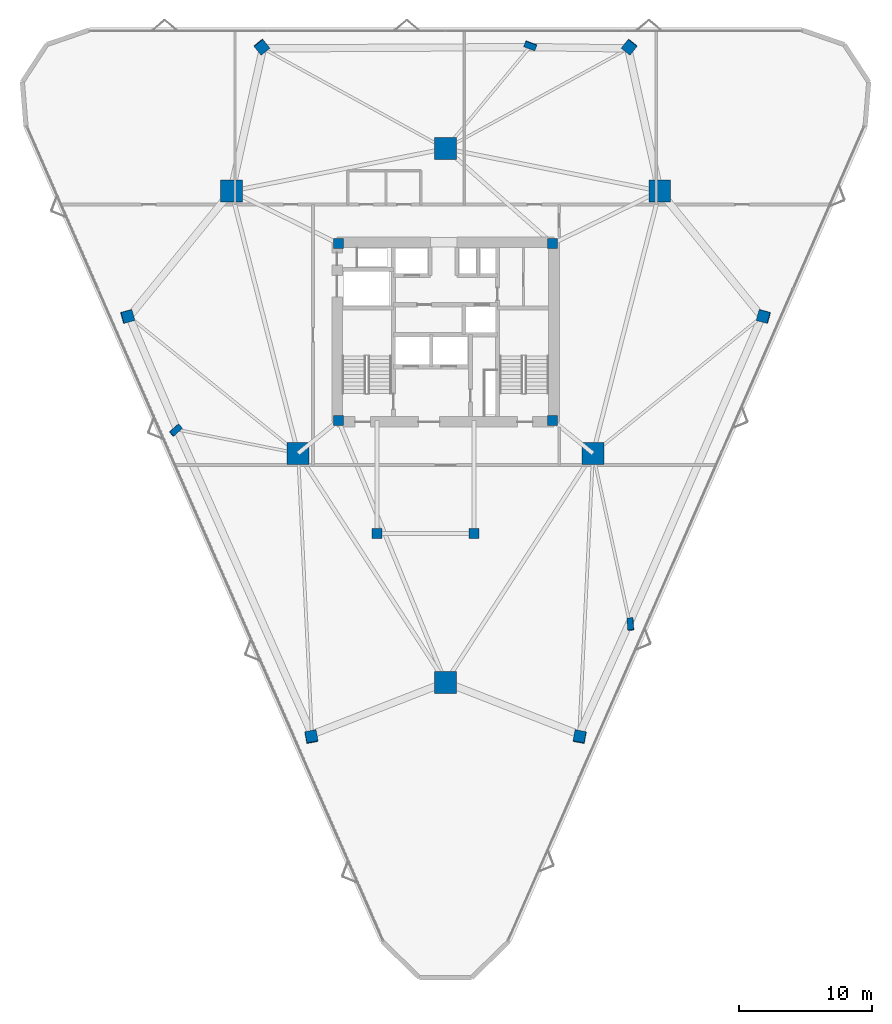
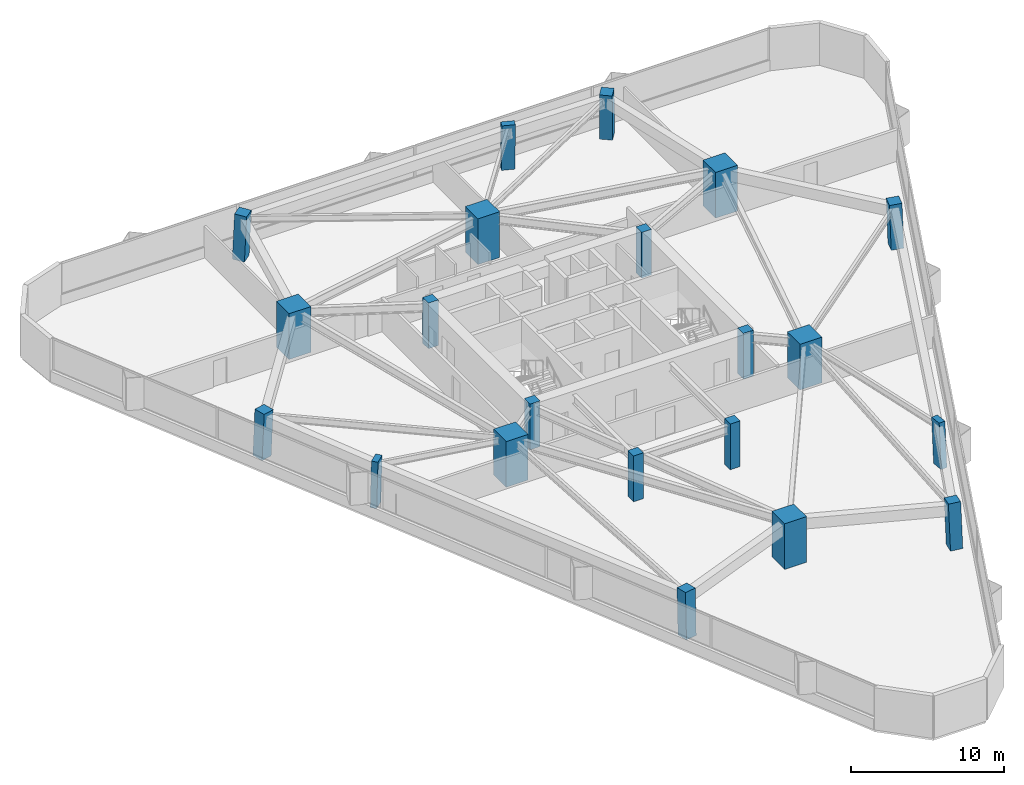
# One storey, part 1 of 19: 21 columns.
"""IFC4 building model written with IfcOpenShell, lengths in metres."""

from ifc_helpers import new_model, si_unit, direction, frame, origin, origin_2d, place, context, subcontext, project, spatial, rectangle, extrude, material, material_profile, profile_set, type_object, element, save


model = new_model("IFC4")

# Units and contexts
model_context = context("Model", 3, precision=1e-05, world=origin(), true_north=direction((0.0, 1.0)))
body_context = subcontext(model_context, "Body", "Model", "MODEL_VIEW")
ifc_project = project(units=[si_unit("LENGTHUNIT", "METRE"), si_unit("AREAUNIT", "SQUARE_METRE"), si_unit("VOLUMEUNIT", "CUBIC_METRE"), si_unit("PLANEANGLEUNIT", "RADIAN"), si_unit("MASSUNIT", "GRAM", prefix="KILO")], contexts=[model_context])

# Site, building, storey
site_placement = place(None, origin())
site = spatial("IfcSite", under=ifc_project, at=site_placement, CompositionType="ELEMENT")
building_placement = place(site_placement, origin())
building = spatial("IfcBuilding", under=site, at=building_placement, Name="Talyreon Biosciences Tower", CompositionType="ELEMENT")
storey_placement = place(building_placement, frame((0.0, 0.0, 85.949951171875)))
storey = spatial("IfcBuildingStorey", under=building, at=storey_placement, Name="L22", CompositionType="ELEMENT", Elevation=85.949951171875)

# Columns
ifc_material_1 = material(Name="Precast concrete C45/55", Category="concrete")
ifc_material_profile_1 = material_profile(ifc_material_1, rectangle(XDim=0.89990234375, YDim=0.449951171875, at=origin_2d()), Name="RC 900x450")
ifc_profile_set_1 = profile_set([ifc_material_profile_1], Name="Precast concrete C45/55")
column_type_1 = type_object("IfcColumnType", Name="FacadePilaster_900x450", PredefinedType="PILASTER", material=ifc_profile_set_1)
column_1_placement = place(storey_placement, frame((79.908935546875, 46.02490234375, 0.0029296875), z_axis=(-0.019612004119, 0.038286915892, 0.999074312234), x_axis=(0.060753125797, -0.997374335781, 0.039414363254)))
element("IfcColumn", 1, at=column_1_placement, inside=storey, type_object=column_type_1, Name="L22 Facade Pilaster PL-SE", PredefinedType="PILASTER", context=body_context, shape_type="SweptSolid", body=[
    extrude(rectangle(XDim=0.89990234375, YDim=0.449951171875, at=origin_2d()), origin(), (0.0, 0.0, 1.0), 3.6474609375),
])
column_2_placement = place(storey_placement, frame((72.383056640625, 89.548095703125, 0.0029296875), z_axis=(-0.01238655289, -0.033544124313, 0.999360478022), x_axis=(-0.9380871136, 0.346399433166, 0.0)))
element("IfcColumn", 2, at=column_2_placement, inside=storey, type_object=column_type_1, Name="L22 Facade Pilaster PL-N", PredefinedType="PILASTER", context=body_context, shape_type="SweptSolid", body=[
    extrude(rectangle(XDim=0.89990234375, YDim=0.449951171875, at=origin_2d()), origin(), (0.0, 0.0, 1.0), 3.646484375),
])
column_3_placement = place(storey_placement, frame((45.7080078125, 60.62255859375, 0.0029296875), z_axis=(0.032006476949, 0.010512587617, 0.999432374368), x_axis=(0.744971845615, 0.666381412971, -0.030866838003)))
element("IfcColumn", 3, at=column_3_placement, inside=storey, type_object=column_type_1, Name="L22 Facade Pilaster PL-SW", PredefinedType="PILASTER", context=body_context, shape_type="SweptSolid", body=[
    extrude(rectangle(XDim=0.89990234375, YDim=0.449951171875, at=origin_2d()), origin(), (0.0, 0.0, 1.0), 3.64599609375),
])
ifc_material_2 = material(Name="Concrete C60/75", Category="concrete")
ifc_material_profile_2 = material_profile(ifc_material_2, rectangle(XDim=1.64990234375, YDim=1.64990234375, at=origin_2d()), Name="RC 1650x1650")
ifc_profile_set_2 = profile_set([ifc_material_profile_2], Name="Concrete C60/75")
column_type_2 = type_object("IfcColumnType", Name="MegaColumn_1650", PredefinedType="COLUMN", material=ifc_profile_set_2)
for number, where, z_axis, x_axis, name in (
    (4, (66.0, 41.6669921875, 0.0), (0.0, 0.0, 1.0), (1.0, 0.0, 0.0), "L22 Composite Mega-Column MC1"),
    (5, (82.102294921875, 78.5986328125, 0.0), (0.0, 0.0, 1.0), (1.0, 0.0, 0.0), "L22 Composite Mega-Column MC2"),
    (6, (49.897705078125, 78.5986328125, 0.0), (0.0, 0.0, 1.0), (1.0, 0.0, 0.0), "L22 Composite Mega-Column MC3"),
    (7, (77.086181640625, 58.88037109375, 0.0), (0.0, 0.0, 1.0), (1.0, 0.0, 0.0), "L22 Composite Mega-Column MC4"),
    (8, (66.0, 81.788818359375, 0.0), (0.0, 0.0, 1.0), (1.0, 0.0, 0.0), "L22 Composite Mega-Column MC5"),
    (9, (54.913818359375, 58.88037109375, 0.0), (0.0, 0.0, 1.0), (1.0, 0.0, 0.0), "L22 Composite Mega-Column MC6"),
):
    element("IfcColumn", number, at=place(storey_placement, frame(where, z_axis=z_axis, x_axis=x_axis)), inside=storey, type_object=column_type_2, Name=name, PredefinedType="COLUMN", context=body_context, shape_type="SweptSolid", body=[
        extrude(rectangle(XDim=1.64990234375, YDim=1.64990234375, at=origin_2d()), origin(), (0.0, 0.0, 1.0), 3.650146484375),
    ])
ifc_material_3 = material(Name="Concrete C50/60", Category="concrete")
ifc_material_profile_3 = material_profile(ifc_material_3, rectangle(XDim=0.75, YDim=0.75, at=origin_2d()), Name="RC 750x750")
ifc_profile_set_3 = profile_set([ifc_material_profile_3], Name="Concrete C50/60")
column_type_3 = type_object("IfcColumnType", Name="PerimeterColumn_750", PredefinedType="COLUMN", material=ifc_profile_set_3)
for number, where, z_axis, x_axis, name in (
    (10, (57.949951171875, 61.35009765625, 0.0), (0.0, 0.0, 1.0), (1.0, 0.0, 0.0), "L22 Core Column CC1"),
    (11, (74.050048828125, 61.35009765625, 0.0), (0.0, 0.0, 1.0), (1.0, 0.0, 0.0), "L22 Core Column CC2"),
    (12, (74.050048828125, 74.64990234375, 0.0), (0.0, 0.0, 1.0), (1.0, 0.0, 0.0), "L22 Core Column CC3"),
    (13, (57.949951171875, 74.64990234375, 0.0), (0.0, 0.0, 1.0), (1.0, 0.0, 0.0), "L22 Core Column CC4"),
    (14, (60.85009765625, 52.840087890625, 0.0), (0.0, 0.0, 1.0), (1.0, 0.0, 0.0), "L22 Core Column CSW"),
    (15, (68.14990234375, 52.840087890625, 0.0), (0.0, 0.0, 1.0), (1.0, 0.0, 0.0), "L22 Core Column CSE"),
):
    element("IfcColumn", number, at=place(storey_placement, frame(where, z_axis=z_axis, x_axis=x_axis)), inside=storey, type_object=column_type_3, Name=name, PredefinedType="COLUMN", context=body_context, shape_type="SweptSolid", body=[
        extrude(rectangle(XDim=0.75, YDim=0.75, at=origin_2d()), origin(), (0.0, 0.0, 1.0), 3.650146484375),
    ])
ifc_material_profile_4 = material_profile(ifc_material_2, rectangle(XDim=0.85009765625, YDim=0.85009765625, at=origin_2d()), Name="RC 850x850")
ifc_profile_set_4 = profile_set([ifc_material_profile_4], Name="Concrete C60/75")
column_type_4 = type_object("IfcColumnType", Name="PerimeterColumn_850", PredefinedType="COLUMN", material=ifc_profile_set_4)
column_4_placement = place(storey_placement, frame((76.09375, 37.5498046875, 0.0029296875), z_axis=(-0.012375186311, 0.054383926869, 0.998443410145), x_axis=(-0.187672124072, -0.98090148559, 0.051102342545)))
element("IfcColumn", 16, at=column_4_placement, inside=storey, type_object=column_type_4, Name="L22 Tapering Perimeter Column PC-SE1", PredefinedType="COLUMN", context=body_context, shape_type="SweptSolid", body=[
    extrude(rectangle(XDim=0.85009765625, YDim=0.85009765625, at=origin_2d()), origin(), (0.0, 0.0, 1.0), 3.649658203125),
])
column_5_placement = place(storey_placement, frame((89.923828125, 69.177734375, 0.0029296875), z_axis=(-0.039229493406, -0.00569028488, 0.999214024874), x_axis=(0.963545964797, -0.265066134552, 0.036319664608)))
element("IfcColumn", 17, at=column_5_placement, inside=storey, type_object=column_type_4, Name="L22 Tapering Perimeter Column PC-SE2", PredefinedType="COLUMN", context=body_context, shape_type="SweptSolid", body=[
    extrude(rectangle(XDim=0.85009765625, YDim=0.85009765625, at=origin_2d()), origin(), (0.0, 0.0, 1.0), 3.64697265625),
])
for number, where, z_axis, x_axis, name in (
    (18, (79.829833984375, 89.447998046875, 0.0029296875), (-0.026841076243, -0.033534611465, 0.999077067328), (-0.780716755404, 0.624885067698, 0.0), "L22 Tapering Perimeter Column PC-N1"),
    (19, (52.169921875, 89.447998046875, 0.0029296875), (0.026907963191, -0.033534551141, 0.999075270136), (-0.779956681152, -0.625833504637, 0.0), "L22 Tapering Perimeter Column PC-N2"),
):
    element("IfcColumn", number, at=place(storey_placement, frame(where, z_axis=z_axis, x_axis=x_axis)), inside=storey, type_object=column_type_4, Name=name, PredefinedType="COLUMN", context=body_context, shape_type="SweptSolid", body=[
        extrude(rectangle(XDim=0.85009765625, YDim=0.85009765625, at=origin_2d()), origin(), (0.0, 0.0, 1.0), 3.6474609375),
    ])
column_6_placement = place(storey_placement, frame((42.076171875, 69.177734375, 0.0029296875), z_axis=(0.039229493406, -0.00569028488, 0.999214024874), x_axis=(0.963545964797, 0.265066134552, -0.036319664608)))
element("IfcColumn", 20, at=column_6_placement, inside=storey, type_object=column_type_4, Name="L22 Tapering Perimeter Column PC-SW1", PredefinedType="COLUMN", context=body_context, shape_type="SweptSolid", body=[
    extrude(rectangle(XDim=0.85009765625, YDim=0.85009765625, at=origin_2d()), origin(), (0.0, 0.0, 1.0), 3.64697265625),
])
column_7_placement = place(storey_placement, frame((55.90625, 37.5498046875, 0.0029296875), z_axis=(0.012375186311, 0.054383926869, 0.998443410145), x_axis=(-0.187672124072, 0.98090148559, -0.051102342545)))
element("IfcColumn", 21, at=column_7_placement, inside=storey, type_object=column_type_4, Name="L22 Tapering Perimeter Column PC-SW2", PredefinedType="COLUMN", context=body_context, shape_type="SweptSolid", body=[
    extrude(rectangle(XDim=0.85009765625, YDim=0.85009765625, at=origin_2d()), origin(), (0.0, 0.0, 1.0), 3.649658203125),
])

save(model, "model.ifc")
